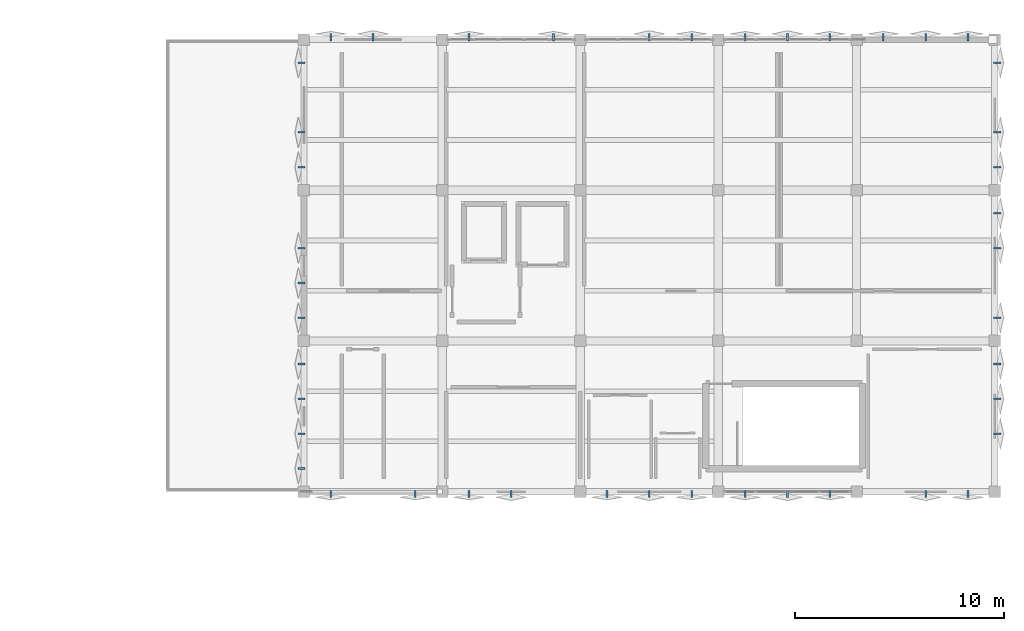
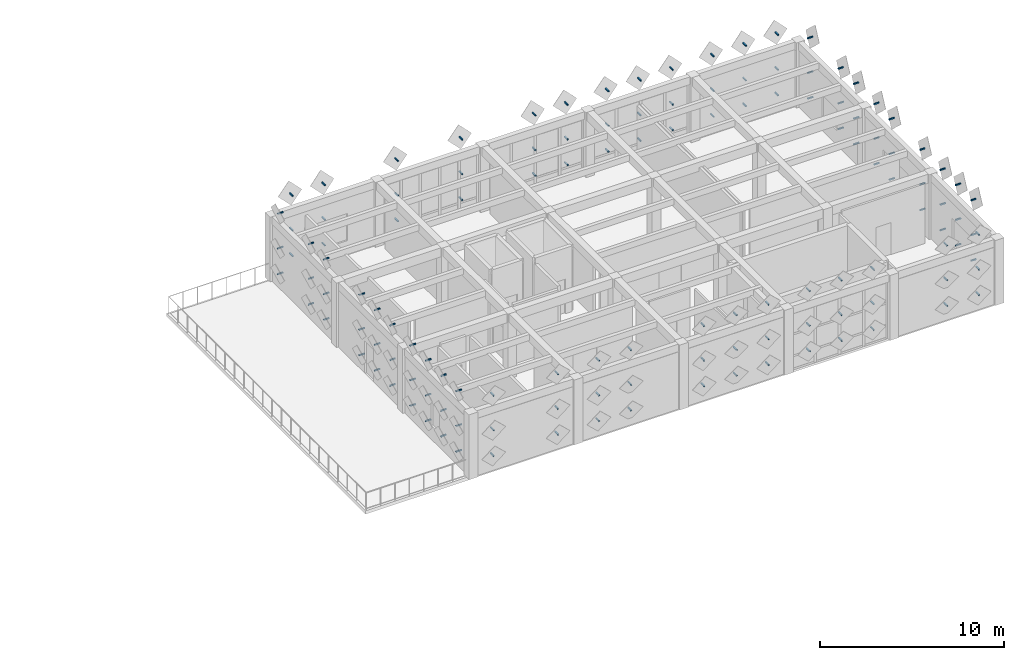
# One storey, part 25 of 29: 129 discrete accessories.
"""IFC4 building model written with IfcOpenShell, lengths in metres."""

from ifc_helpers import new_model, si_unit, direction, frame, origin, origin_2d, place, context, subcontext, project, spatial, hollow_rectangle, extrude, material, type_object, element, save


model = new_model("IFC4")

# Units and contexts
model_context = context("Model", 3, precision=1e-05, world=origin(), true_north=direction((0.0, 1.0)))
body_context = subcontext(model_context, "Body", "Model", "MODEL_VIEW")
ifc_project = project(units=[si_unit("LENGTHUNIT", "METRE"), si_unit("AREAUNIT", "SQUARE_METRE"), si_unit("VOLUMEUNIT", "CUBIC_METRE"), si_unit("PLANEANGLEUNIT", "RADIAN"), si_unit("MASSUNIT", "GRAM", prefix="KILO")], contexts=[model_context])

# Site, building, storey
site_placement = place(None, origin())
site = spatial("IfcSite", under=ifc_project, at=site_placement, CompositionType="ELEMENT")
building_placement = place(site_placement, origin())
building = spatial("IfcBuilding", under=site, at=building_placement, Name="Kharisveld Research Institute", CompositionType="ELEMENT")
storey_placement = place(building_placement, frame((0.0, 0.0, 32.10009765625)))
storey = spatial("IfcBuildingStorey", under=building, at=storey_placement, Name="L07", CompositionType="ELEMENT", Elevation=32.10009765625)

# Discrete accessories
ifc_material = material(Name="Steel S355JR", Category="steel")
discrete_accessory_type = type_object("IfcDiscreteAccessoryType", Name="BKT_ST_260", PredefinedType="BRACKET")
for number, where, z_axis, x_axis, name in (
    (1, (127.860107421875, 40.302490234375, 1.0498046875), (-1.0, 0.0, 0.0), (0.0, -1.0, 0.0), "BKT-SHD:V2:L07:W0:S0C0"),
    (2, (127.860107421875, 40.302490234375, 2.75), (-1.0, 0.0, 0.0), (0.0, -1.0, 0.0), "BKT-SHD:V2:L07:W0:S0C1"),
    (3, (127.860107421875, 40.302490234375, 5.0498046875), (-1.0, 0.0, 0.0), (0.0, -1.0, 0.0), "BKT-SHD:V2:L07:W0:S0C2"),
    (4, (127.860107421875, 41.967529296875, 1.0498046875), (-1.0, 0.0, 0.0), (0.0, -1.0, 0.0), "BKT-SHD:V2:L07:W0:S1C0"),
    (5, (127.860107421875, 41.967529296875, 2.75), (-1.0, 0.0, 0.0), (0.0, -1.0, 0.0), "BKT-SHD:V2:L07:W0:S1C1"),
    (6, (127.860107421875, 41.967529296875, 5.0498046875), (-1.0, 0.0, 0.0), (0.0, -1.0, 0.0), "BKT-SHD:V2:L07:W0:S1C2"),
    (7, (127.860107421875, 43.632568359375, 1.0498046875), (-1.0, 0.0, 0.0), (0.0, -1.0, 0.0), "BKT-SHD:V2:L07:W0:S2C0"),
    (8, (127.860107421875, 43.632568359375, 2.75), (-1.0, 0.0, 0.0), (0.0, -1.0, 0.0), "BKT-SHD:V2:L07:W0:S2C1"),
    (9, (127.860107421875, 43.632568359375, 5.0498046875), (-1.0, 0.0, 0.0), (0.0, -1.0, 0.0), "BKT-SHD:V2:L07:W0:S2C2"),
    (10, (127.860107421875, 45.297607421875, 1.0498046875), (-1.0, 0.0, 0.0), (0.0, -1.0, 0.0), "BKT-SHD:V2:L07:W0:S3C0"),
    (11, (127.860107421875, 45.297607421875, 2.75), (-1.0, 0.0, 0.0), (0.0, -1.0, 0.0), "BKT-SHD:V2:L07:W0:S3C1"),
    (12, (127.860107421875, 45.297607421875, 5.0498046875), (-1.0, 0.0, 0.0), (0.0, -1.0, 0.0), "BKT-SHD:V2:L07:W0:S3C2"),
    (13, (127.860107421875, 47.50244140625, 1.0498046875), (-1.0, 0.0, 0.0), (0.0, -1.0, 0.0), "BKT-SHD:V2:L07:W1:S0C0"),
    (14, (127.860107421875, 47.50244140625, 2.75), (-1.0, 0.0, 0.0), (0.0, -1.0, 0.0), "BKT-SHD:V2:L07:W1:S0C1"),
    (15, (127.860107421875, 47.50244140625, 5.0498046875), (-1.0, 0.0, 0.0), (0.0, -1.0, 0.0), "BKT-SHD:V2:L07:W1:S0C2"),
    (16, (127.860107421875, 49.16748046875, 1.0498046875), (-1.0, 0.0, 0.0), (0.0, -1.0, 0.0), "BKT-SHD:V2:L07:W1:S1C0"),
    (17, (127.860107421875, 49.16748046875, 2.75), (-1.0, 0.0, 0.0), (0.0, -1.0, 0.0), "BKT-SHD:V2:L07:W1:S1C1"),
    (18, (127.860107421875, 49.16748046875, 5.0498046875), (-1.0, 0.0, 0.0), (0.0, -1.0, 0.0), "BKT-SHD:V2:L07:W1:S1C2"),
    (19, (127.860107421875, 50.83251953125, 1.0498046875), (-1.0, 0.0, 0.0), (0.0, -1.0, 0.0), "BKT-SHD:V2:L07:W1:S2C0"),
    (20, (127.860107421875, 50.83251953125, 2.75), (-1.0, 0.0, 0.0), (0.0, -1.0, 0.0), "BKT-SHD:V2:L07:W1:S2C1"),
    (21, (127.860107421875, 50.83251953125, 5.0498046875), (-1.0, 0.0, 0.0), (0.0, -1.0, 0.0), "BKT-SHD:V2:L07:W1:S2C2"),
    (22, (127.860107421875, 54.702392578125, 1.0498046875), (-1.0, 0.0, 0.0), (0.0, -1.0, 0.0), "BKT-SHD:V2:L07:W2:S0C0"),
    (23, (127.860107421875, 54.702392578125, 2.75), (-1.0, 0.0, 0.0), (0.0, -1.0, 0.0), "BKT-SHD:V2:L07:W2:S0C1"),
    (24, (127.860107421875, 54.702392578125, 5.0498046875), (-1.0, 0.0, 0.0), (0.0, -1.0, 0.0), "BKT-SHD:V2:L07:W2:S0C2"),
    (25, (127.860107421875, 56.367431640625, 1.0498046875), (-1.0, 0.0, 0.0), (0.0, -1.0, 0.0), "BKT-SHD:V2:L07:W2:S1C0"),
    (26, (127.860107421875, 56.367431640625, 2.75), (-1.0, 0.0, 0.0), (0.0, -1.0, 0.0), "BKT-SHD:V2:L07:W2:S1C1"),
    (27, (127.860107421875, 56.367431640625, 5.0498046875), (-1.0, 0.0, 0.0), (0.0, -1.0, 0.0), "BKT-SHD:V2:L07:W2:S1C2"),
    (28, (127.860107421875, 59.697509765625, 1.0498046875), (-1.0, 0.0, 0.0), (0.0, -1.0, 0.0), "BKT-SHD:V2:L07:W2:S3C0"),
    (29, (127.860107421875, 59.697509765625, 2.75), (-1.0, 0.0, 0.0), (0.0, -1.0, 0.0), "BKT-SHD:V2:L07:W2:S3C1"),
    (30, (127.860107421875, 59.697509765625, 5.0498046875), (-1.0, 0.0, 0.0), (0.0, -1.0, 0.0), "BKT-SHD:V2:L07:W2:S3C2"),
    (31, (129.080078125, 60.739990234375, 1.0498046875), (0.0, 1.0, 0.0), (-1.0, 0.0, 0.0), "BKT-SHD:V2:L07:N2:S0C0"),
    (32, (129.080078125, 60.739990234375, 2.75), (0.0, 1.0, 0.0), (-1.0, 0.0, 0.0), "BKT-SHD:V2:L07:N2:S0C1"),
    (33, (129.080078125, 60.739990234375, 5.0498046875), (0.0, 1.0, 0.0), (-1.0, 0.0, 0.0), "BKT-SHD:V2:L07:N2:S0C2"),
    (34, (131.10009765625, 60.739990234375, 1.0498046875), (0.0, 1.0, 0.0), (-1.0, 0.0, 0.0), "BKT-SHD:V2:L07:N2:S1C0"),
    (35, (131.10009765625, 60.739990234375, 2.75), (0.0, 1.0, 0.0), (-1.0, 0.0, 0.0), "BKT-SHD:V2:L07:N2:S1C1"),
    (36, (131.10009765625, 60.739990234375, 5.0498046875), (0.0, 1.0, 0.0), (-1.0, 0.0, 0.0), "BKT-SHD:V2:L07:N2:S1C2"),
    (37, (135.679931640625, 60.739990234375, 1.0498046875), (0.0, 1.0, 0.0), (-1.0, 0.0, 0.0), "BKT-SHD:V2:L07:N3:S0C0"),
    (38, (135.679931640625, 60.739990234375, 2.75), (0.0, 1.0, 0.0), (-1.0, 0.0, 0.0), "BKT-SHD:V2:L07:N3:S0C1"),
    (39, (135.679931640625, 60.739990234375, 5.0498046875), (0.0, 1.0, 0.0), (-1.0, 0.0, 0.0), "BKT-SHD:V2:L07:N3:S0C2"),
    (40, (139.719970703125, 60.739990234375, 1.0498046875), (0.0, 1.0, 0.0), (-1.0, 0.0, 0.0), "BKT-SHD:V2:L07:N3:S2C0"),
    (41, (139.719970703125, 60.739990234375, 2.75), (0.0, 1.0, 0.0), (-1.0, 0.0, 0.0), "BKT-SHD:V2:L07:N3:S2C1"),
    (42, (139.719970703125, 60.739990234375, 5.0498046875), (0.0, 1.0, 0.0), (-1.0, 0.0, 0.0), "BKT-SHD:V2:L07:N3:S2C2"),
    (43, (144.300048828125, 60.739990234375, 1.0498046875), (0.0, 1.0, 0.0), (-1.0, 0.0, 0.0), "BKT-SHD:V2:L07:N4:S1C0"),
    (44, (144.300048828125, 60.739990234375, 2.75), (0.0, 1.0, 0.0), (-1.0, 0.0, 0.0), "BKT-SHD:V2:L07:N4:S1C1"),
    (45, (144.300048828125, 60.739990234375, 5.0498046875), (0.0, 1.0, 0.0), (-1.0, 0.0, 0.0), "BKT-SHD:V2:L07:N4:S1C2"),
    (46, (146.320068359375, 60.739990234375, 1.0498046875), (0.0, 1.0, 0.0), (-1.0, 0.0, 0.0), "BKT-SHD:V2:L07:N4:S2C0"),
    (47, (146.320068359375, 60.739990234375, 2.75), (0.0, 1.0, 0.0), (-1.0, 0.0, 0.0), "BKT-SHD:V2:L07:N4:S2C1"),
    (48, (146.320068359375, 60.739990234375, 5.0498046875), (0.0, 1.0, 0.0), (-1.0, 0.0, 0.0), "BKT-SHD:V2:L07:N4:S2C2"),
    (49, (148.8798828125, 60.739990234375, 1.0498046875), (0.0, 1.0, 0.0), (-1.0, 0.0, 0.0), "BKT-SHD:V2:L07:N5:S0C0"),
    (50, (148.8798828125, 60.739990234375, 2.75), (0.0, 1.0, 0.0), (-1.0, 0.0, 0.0), "BKT-SHD:V2:L07:N5:S0C1"),
    (51, (148.8798828125, 60.739990234375, 5.0498046875), (0.0, 1.0, 0.0), (-1.0, 0.0, 0.0), "BKT-SHD:V2:L07:N5:S0C2"),
    (52, (150.89990234375, 60.739990234375, 1.0498046875), (0.0, 1.0, 0.0), (-1.0, 0.0, 0.0), "BKT-SHD:V2:L07:N5:S1C0"),
    (53, (150.89990234375, 60.739990234375, 2.75), (0.0, 1.0, 0.0), (-1.0, 0.0, 0.0), "BKT-SHD:V2:L07:N5:S1C1"),
    (54, (150.89990234375, 60.739990234375, 5.0498046875), (0.0, 1.0, 0.0), (-1.0, 0.0, 0.0), "BKT-SHD:V2:L07:N5:S1C2"),
    (55, (152.919921875, 60.739990234375, 1.0498046875), (0.0, 1.0, 0.0), (-1.0, 0.0, 0.0), "BKT-SHD:V2:L07:N5:S2C0"),
    (56, (152.919921875, 60.739990234375, 2.75), (0.0, 1.0, 0.0), (-1.0, 0.0, 0.0), "BKT-SHD:V2:L07:N5:S2C1"),
    (57, (152.919921875, 60.739990234375, 5.0498046875), (0.0, 1.0, 0.0), (-1.0, 0.0, 0.0), "BKT-SHD:V2:L07:N5:S2C2"),
    (58, (155.47998046875, 60.739990234375, 1.0498046875), (0.0, 1.0, 0.0), (-1.0, 0.0, 0.0), "BKT-SHD:V2:L07:N6:S0C0"),
    (59, (155.47998046875, 60.739990234375, 2.75), (0.0, 1.0, 0.0), (-1.0, 0.0, 0.0), "BKT-SHD:V2:L07:N6:S0C1"),
    (60, (155.47998046875, 60.739990234375, 5.0498046875), (0.0, 1.0, 0.0), (-1.0, 0.0, 0.0), "BKT-SHD:V2:L07:N6:S0C2"),
    (61, (157.5, 60.739990234375, 1.0498046875), (0.0, 1.0, 0.0), (-1.0, 0.0, 0.0), "BKT-SHD:V2:L07:N6:S1C0"),
    (62, (157.5, 60.739990234375, 2.75), (0.0, 1.0, 0.0), (-1.0, 0.0, 0.0), "BKT-SHD:V2:L07:N6:S1C1"),
    (63, (157.5, 60.739990234375, 5.0498046875), (0.0, 1.0, 0.0), (-1.0, 0.0, 0.0), "BKT-SHD:V2:L07:N6:S1C2"),
    (64, (159.52001953125, 60.739990234375, 1.0498046875), (0.0, 1.0, 0.0), (-1.0, 0.0, 0.0), "BKT-SHD:V2:L07:N6:S2C0"),
    (65, (159.52001953125, 60.739990234375, 2.75), (0.0, 1.0, 0.0), (-1.0, 0.0, 0.0), "BKT-SHD:V2:L07:N6:S2C1"),
    (66, (159.52001953125, 60.739990234375, 5.0498046875), (0.0, 1.0, 0.0), (-1.0, 0.0, 0.0), "BKT-SHD:V2:L07:N6:S2C2"),
    (67, (160.739990234375, 59.697509765625, 1.0498046875), (1.0, 0.0, 0.0), (0.0, 1.0, 0.0), "BKT-SHD:V2:L07:E3:S0C0"),
    (68, (160.739990234375, 59.697509765625, 2.75), (1.0, 0.0, 0.0), (0.0, 1.0, 0.0), "BKT-SHD:V2:L07:E3:S0C1"),
    (69, (160.739990234375, 59.697509765625, 5.0498046875), (1.0, 0.0, 0.0), (0.0, 1.0, 0.0), "BKT-SHD:V2:L07:E3:S0C2"),
    (70, (160.739990234375, 56.367431640625, 1.0498046875), (1.0, 0.0, 0.0), (0.0, 1.0, 0.0), "BKT-SHD:V2:L07:E3:S2C0"),
    (71, (160.739990234375, 56.367431640625, 2.75), (1.0, 0.0, 0.0), (0.0, 1.0, 0.0), "BKT-SHD:V2:L07:E3:S2C1"),
    (72, (160.739990234375, 56.367431640625, 5.0498046875), (1.0, 0.0, 0.0), (0.0, 1.0, 0.0), "BKT-SHD:V2:L07:E3:S2C2"),
    (73, (160.739990234375, 54.702392578125, 1.0498046875), (1.0, 0.0, 0.0), (0.0, 1.0, 0.0), "BKT-SHD:V2:L07:E3:S3C0"),
    (74, (160.739990234375, 54.702392578125, 2.75), (1.0, 0.0, 0.0), (0.0, 1.0, 0.0), "BKT-SHD:V2:L07:E3:S3C1"),
    (75, (160.739990234375, 54.702392578125, 5.0498046875), (1.0, 0.0, 0.0), (0.0, 1.0, 0.0), "BKT-SHD:V2:L07:E3:S3C2"),
    (76, (160.739990234375, 52.49755859375, 1.0498046875), (1.0, 0.0, 0.0), (0.0, 1.0, 0.0), "BKT-SHD:V2:L07:E2:S0C0"),
    (77, (160.739990234375, 52.49755859375, 2.75), (1.0, 0.0, 0.0), (0.0, 1.0, 0.0), "BKT-SHD:V2:L07:E2:S0C1"),
    (78, (160.739990234375, 52.49755859375, 5.0498046875), (1.0, 0.0, 0.0), (0.0, 1.0, 0.0), "BKT-SHD:V2:L07:E2:S0C2"),
    (79, (160.739990234375, 50.83251953125, 1.0498046875), (1.0, 0.0, 0.0), (0.0, 1.0, 0.0), "BKT-SHD:V2:L07:E2:S1C0"),
    (80, (160.739990234375, 50.83251953125, 2.75), (1.0, 0.0, 0.0), (0.0, 1.0, 0.0), "BKT-SHD:V2:L07:E2:S1C1"),
    (81, (160.739990234375, 50.83251953125, 5.0498046875), (1.0, 0.0, 0.0), (0.0, 1.0, 0.0), "BKT-SHD:V2:L07:E2:S1C2"),
    (82, (160.739990234375, 47.50244140625, 1.0498046875), (1.0, 0.0, 0.0), (0.0, 1.0, 0.0), "BKT-SHD:V2:L07:E2:S3C0"),
    (83, (160.739990234375, 47.50244140625, 2.75), (1.0, 0.0, 0.0), (0.0, 1.0, 0.0), "BKT-SHD:V2:L07:E2:S3C1"),
    (84, (160.739990234375, 47.50244140625, 5.0498046875), (1.0, 0.0, 0.0), (0.0, 1.0, 0.0), "BKT-SHD:V2:L07:E2:S3C2"),
    (85, (160.739990234375, 45.297607421875, 1.0498046875), (1.0, 0.0, 0.0), (0.0, 1.0, 0.0), "BKT-SHD:V2:L07:E1:S0C0"),
    (86, (160.739990234375, 45.297607421875, 2.75), (1.0, 0.0, 0.0), (0.0, 1.0, 0.0), "BKT-SHD:V2:L07:E1:S0C1"),
    (87, (160.739990234375, 45.297607421875, 5.0498046875), (1.0, 0.0, 0.0), (0.0, 1.0, 0.0), "BKT-SHD:V2:L07:E1:S0C2"),
    (88, (160.739990234375, 43.632568359375, 1.0498046875), (1.0, 0.0, 0.0), (0.0, 1.0, 0.0), "BKT-SHD:V2:L07:E1:S1C0"),
    (89, (160.739990234375, 43.632568359375, 2.75), (1.0, 0.0, 0.0), (0.0, 1.0, 0.0), "BKT-SHD:V2:L07:E1:S1C1"),
    (90, (160.739990234375, 43.632568359375, 5.0498046875), (1.0, 0.0, 0.0), (0.0, 1.0, 0.0), "BKT-SHD:V2:L07:E1:S1C2"),
    (91, (160.739990234375, 41.967529296875, 1.0498046875), (1.0, 0.0, 0.0), (0.0, 1.0, 0.0), "BKT-SHD:V2:L07:E1:S2C0"),
    (92, (160.739990234375, 41.967529296875, 2.75), (1.0, 0.0, 0.0), (0.0, 1.0, 0.0), "BKT-SHD:V2:L07:E1:S2C1"),
    (93, (160.739990234375, 41.967529296875, 5.0498046875), (1.0, 0.0, 0.0), (0.0, 1.0, 0.0), "BKT-SHD:V2:L07:E1:S2C2"),
    (94, (159.52001953125, 39.260009765625, 1.0498046875), (0.0, -1.0, 0.0), (1.0, 0.0, 0.0), "BKT-SHD:V2:L07:S7:S0C0"),
    (95, (159.52001953125, 39.260009765625, 2.75), (0.0, -1.0, 0.0), (1.0, 0.0, 0.0), "BKT-SHD:V2:L07:S7:S0C1"),
    (96, (159.52001953125, 39.260009765625, 5.0498046875), (0.0, -1.0, 0.0), (1.0, 0.0, 0.0), "BKT-SHD:V2:L07:S7:S0C2"),
    (97, (157.5, 39.260009765625, 1.0498046875), (0.0, -1.0, 0.0), (1.0, 0.0, 0.0), "BKT-SHD:V2:L07:S7:S1C0"),
    (98, (157.5, 39.260009765625, 2.75), (0.0, -1.0, 0.0), (1.0, 0.0, 0.0), "BKT-SHD:V2:L07:S7:S1C1"),
    (99, (157.5, 39.260009765625, 5.0498046875), (0.0, -1.0, 0.0), (1.0, 0.0, 0.0), "BKT-SHD:V2:L07:S7:S1C2"),
    (100, (152.919921875, 39.260009765625, 1.0498046875), (0.0, -1.0, 0.0), (1.0, 0.0, 0.0), "BKT-SHD:V2:L07:S6:S0C0"),
    (101, (152.919921875, 39.260009765625, 2.75), (0.0, -1.0, 0.0), (1.0, 0.0, 0.0), "BKT-SHD:V2:L07:S6:S0C1"),
    (102, (152.919921875, 39.260009765625, 5.0498046875), (0.0, -1.0, 0.0), (1.0, 0.0, 0.0), "BKT-SHD:V2:L07:S6:S0C2"),
    (103, (150.89990234375, 39.260009765625, 1.0498046875), (0.0, -1.0, 0.0), (1.0, 0.0, 0.0), "BKT-SHD:V2:L07:S6:S1C0"),
    (104, (150.89990234375, 39.260009765625, 2.75), (0.0, -1.0, 0.0), (1.0, 0.0, 0.0), "BKT-SHD:V2:L07:S6:S1C1"),
    (105, (150.89990234375, 39.260009765625, 5.0498046875), (0.0, -1.0, 0.0), (1.0, 0.0, 0.0), "BKT-SHD:V2:L07:S6:S1C2"),
    (106, (148.8798828125, 39.260009765625, 1.0498046875), (0.0, -1.0, 0.0), (1.0, 0.0, 0.0), "BKT-SHD:V2:L07:S6:S2C0"),
    (107, (148.8798828125, 39.260009765625, 2.75), (0.0, -1.0, 0.0), (1.0, 0.0, 0.0), "BKT-SHD:V2:L07:S6:S2C1"),
    (108, (148.8798828125, 39.260009765625, 5.0498046875), (0.0, -1.0, 0.0), (1.0, 0.0, 0.0), "BKT-SHD:V2:L07:S6:S2C2"),
    (109, (146.320068359375, 39.260009765625, 1.0498046875), (0.0, -1.0, 0.0), (1.0, 0.0, 0.0), "BKT-SHD:V2:L07:S5:S0C0"),
    (110, (146.320068359375, 39.260009765625, 2.75), (0.0, -1.0, 0.0), (1.0, 0.0, 0.0), "BKT-SHD:V2:L07:S5:S0C1"),
    (111, (146.320068359375, 39.260009765625, 5.0498046875), (0.0, -1.0, 0.0), (1.0, 0.0, 0.0), "BKT-SHD:V2:L07:S5:S0C2"),
    (112, (144.300048828125, 39.260009765625, 1.0498046875), (0.0, -1.0, 0.0), (1.0, 0.0, 0.0), "BKT-SHD:V2:L07:S5:S1C0"),
    (113, (144.300048828125, 39.260009765625, 2.75), (0.0, -1.0, 0.0), (1.0, 0.0, 0.0), "BKT-SHD:V2:L07:S5:S1C1"),
    (114, (144.300048828125, 39.260009765625, 5.0498046875), (0.0, -1.0, 0.0), (1.0, 0.0, 0.0), "BKT-SHD:V2:L07:S5:S1C2"),
    (115, (142.280029296875, 39.260009765625, 1.0498046875), (0.0, -1.0, 0.0), (1.0, 0.0, 0.0), "BKT-SHD:V2:L07:S5:S2C0"),
    (116, (142.280029296875, 39.260009765625, 2.75), (0.0, -1.0, 0.0), (1.0, 0.0, 0.0), "BKT-SHD:V2:L07:S5:S2C1"),
    (117, (142.280029296875, 39.260009765625, 5.0498046875), (0.0, -1.0, 0.0), (1.0, 0.0, 0.0), "BKT-SHD:V2:L07:S5:S2C2"),
    (118, (137.699951171875, 39.260009765625, 1.0498046875), (0.0, -1.0, 0.0), (1.0, 0.0, 0.0), "BKT-SHD:V2:L07:S4:S1C0"),
    (119, (137.699951171875, 39.260009765625, 2.75), (0.0, -1.0, 0.0), (1.0, 0.0, 0.0), "BKT-SHD:V2:L07:S4:S1C1"),
    (120, (137.699951171875, 39.260009765625, 5.0498046875), (0.0, -1.0, 0.0), (1.0, 0.0, 0.0), "BKT-SHD:V2:L07:S4:S1C2"),
    (121, (135.679931640625, 39.260009765625, 1.0498046875), (0.0, -1.0, 0.0), (1.0, 0.0, 0.0), "BKT-SHD:V2:L07:S4:S2C0"),
    (122, (135.679931640625, 39.260009765625, 2.75), (0.0, -1.0, 0.0), (1.0, 0.0, 0.0), "BKT-SHD:V2:L07:S4:S2C1"),
    (123, (135.679931640625, 39.260009765625, 5.0498046875), (0.0, -1.0, 0.0), (1.0, 0.0, 0.0), "BKT-SHD:V2:L07:S4:S2C2"),
    (124, (133.1201171875, 39.260009765625, 1.0498046875), (0.0, -1.0, 0.0), (1.0, 0.0, 0.0), "BKT-SHD:V2:L07:S3:S0C0"),
    (125, (133.1201171875, 39.260009765625, 2.75), (0.0, -1.0, 0.0), (1.0, 0.0, 0.0), "BKT-SHD:V2:L07:S3:S0C1"),
    (126, (133.1201171875, 39.260009765625, 5.0498046875), (0.0, -1.0, 0.0), (1.0, 0.0, 0.0), "BKT-SHD:V2:L07:S3:S0C2"),
    (127, (129.080078125, 39.260009765625, 1.0498046875), (0.0, -1.0, 0.0), (1.0, 0.0, 0.0), "BKT-SHD:V2:L07:S3:S2C0"),
    (128, (129.080078125, 39.260009765625, 2.75), (0.0, -1.0, 0.0), (1.0, 0.0, 0.0), "BKT-SHD:V2:L07:S3:S2C1"),
    (129, (129.080078125, 39.260009765625, 5.0498046875), (0.0, -1.0, 0.0), (1.0, 0.0, 0.0), "BKT-SHD:V2:L07:S3:S2C2"),
):
    element("IfcDiscreteAccessory", number, at=place(storey_placement, frame(where, z_axis=z_axis, x_axis=x_axis)), inside=storey, type_object=discrete_accessory_type, material=ifc_material, Name=name, ObjectType="BRACKET", PredefinedType="BRACKET", context=body_context, shape_type="SweptSolid", body=[
        extrude(hollow_rectangle(XDim=0.080078125, YDim=0.080078125, WallThickness=0.0048828125, at=origin_2d()), origin(), (0.0, 0.0, 1.0), 0.35009765625),
    ])

save(model, "model.ifc")
